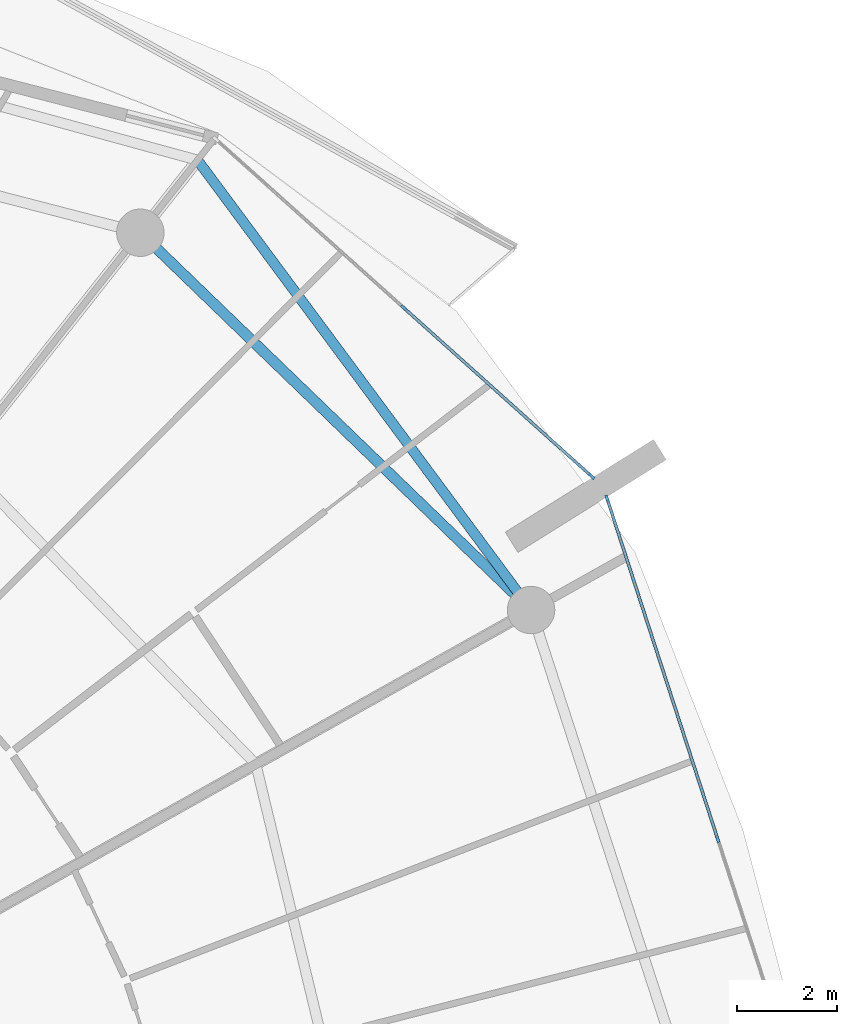
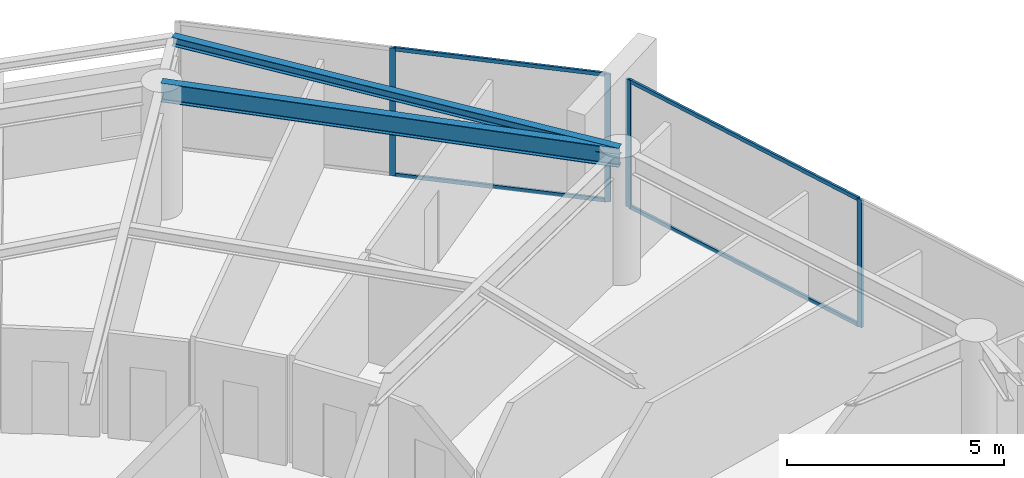
# One storey, part 15 of 30: 8 members, 2 beams, 2 elements without a shape of their own.
"""IFC4 building model written with IfcOpenShell, lengths in metres."""

from ifc_helpers import new_model, si_unit, direction, frame, origin, origin_2d, place, context, subcontext, project, spatial, rectangle, i_section, extrude, material, layer, layer_set, material_profile, profile_set, type_object, element, aggregate, save


model = new_model("IFC4")

# Units and contexts
model_context = context("Model", 3, precision=1e-05, world=origin(), true_north=direction((0.0, 1.0)))
body_context = subcontext(model_context, "Body", "Model", "MODEL_VIEW")
ifc_project = project(units=[si_unit("LENGTHUNIT", "METRE"), si_unit("AREAUNIT", "SQUARE_METRE"), si_unit("VOLUMEUNIT", "CUBIC_METRE"), si_unit("PLANEANGLEUNIT", "RADIAN"), si_unit("MASSUNIT", "GRAM", prefix="KILO")], contexts=[model_context])

# Site, building, storey
site_placement = place(None, origin())
site = spatial("IfcSite", under=ifc_project, at=site_placement, CompositionType="ELEMENT")
building_placement = place(site_placement, origin())
building = spatial("IfcBuilding", under=site, at=building_placement, Name="Kazma Halo Residences", CompositionType="ELEMENT")
storey_placement = place(building_placement, frame((0.0, 0.0, 244.39990234375)))
storey = spatial("IfcBuildingStorey", under=building, at=storey_placement, Name="L61", CompositionType="ELEMENT", Elevation=244.39990234375)

# Beams
ifc_material_1 = material(Name="Steel S355", Category="steel")
ifc_material_profile_1 = material_profile(ifc_material_1, i_section(OverallWidth=0.201904296875, OverallDepth=0.2470703125, WebThickness=0.00732421875, FlangeThickness=0.010986328125, FilletRadius=0.011962890625, at=origin_2d()), Name="W250x49.1")
ifc_profile_set_1 = profile_set([ifc_material_profile_1], Name="Steel S355")
beam_type_1 = type_object("IfcBeamType", Name="BM-BAL-CANT", PredefinedType="BEAM", material=ifc_profile_set_1)
beam_1_placement = place(storey_placement, frame((72.67041015625, 55.81591796875, 3.466552734375), z_axis=(-0.595556062515, 0.803313747176, 0.0), x_axis=(-0.803313747176, -0.595556062515, 0.0)))
element("IfcBeam", 1, at=beam_1_placement, inside=storey, type_object=beam_type_1, Name="L61 wave-balcony lead tie beam 01", PredefinedType="BEAM", context=body_context, shape_type="SweptSolid", body=[
    extrude(i_section(OverallWidth=0.201904296875, OverallDepth=0.2470703125, WebThickness=0.00732421875, FlangeThickness=0.010986328125, FilletRadius=0.011962890625, at=origin_2d()), origin(), (0.0, 0.0, 1.0), 11.213134765625),
])
ifc_material_profile_2 = material_profile(ifc_material_1, i_section(OverallWidth=0.208984375, OverallDepth=0.532958984375, WebThickness=0.01025390625, FlangeThickness=0.015625, FilletRadius=0.01611328125, at=origin_2d()), Name="W530x92")
ifc_profile_set_2 = profile_set([ifc_material_profile_2], Name="Steel S355")
beam_type_2 = type_object("IfcBeamType", Name="BM-SPN-W530", PredefinedType="BEAM", material=ifc_profile_set_2)
beam_2_placement = place(storey_placement, frame((72.67041015625, 55.81591796875, 3.323486328125), z_axis=(-0.719345757929, 0.694652201141, 0.0), x_axis=(-0.694652201141, -0.719345757929, 0.0)))
element("IfcBeam", 2, at=beam_2_placement, inside=storey, type_object=beam_type_2, Name="L61 perimeter ring beam 01", PredefinedType="BEAM", context=body_context, shape_type="SweptSolid", body=[
    extrude(i_section(OverallWidth=0.208984375, OverallDepth=0.532958984375, WebThickness=0.01025390625, FlangeThickness=0.015625, FilletRadius=0.01611328125, at=origin_2d()), origin(), (0.0, 0.0, 1.0), 10.87548828125),
])

# Curtain wall, members
ifc_material_2 = material(Name="Aluminium AW-6063 T6 and Triple-Silver Low-E Glass", Category="aluminium")
ifc_layer = layer(ifc_material_2, 0.139892578125)
ifc_layer_set = layer_set([ifc_layer], Name="Aluminium AW-6063 T6 and Triple-Silver Low-E Glass")
curtain_wall_type = type_object("IfcCurtainWallType", Name="CW-SYS-5", PredefinedType="NOTDEFINED", material=ifc_layer_set)
curtain_wall_1_placement = place(storey_placement, origin())
curtain_wall_1 = element("IfcCurtainWall", 3, at=curtain_wall_1_placement, inside=storey, type_object=curtain_wall_type, Name="L61 unitised curtain wall B01", PredefinedType="NOTDEFINED")
ifc_material_3 = material(Name="Aluminium AW-6063 T6", Category="aluminium")
ifc_material_profile_3 = material_profile(ifc_material_3, rectangle(XDim=0.06005859375, YDim=0.139892578125, at=origin_2d()), Name="CWM-60x140")
ifc_profile_set_3 = profile_set([ifc_material_profile_3], Name="Aluminium AW-6063 T6")
member_type_1 = type_object("IfcMemberType", Name="CW-SYS-5-MUL", PredefinedType="MULLION", material=ifc_profile_set_3)
member_1_placement = place(storey_placement, frame((73.88330078125, 58.491943359375, 0.0), z_axis=(0.0, 0.0, 1.0), x_axis=(-0.667804826958, -0.744336424671, 0.0)))
member_1 = element("IfcMember", 4, at=member_1_placement, type_object=member_type_1, Name="CWS-5 mullion 1", PredefinedType="MULLION", context=body_context, shape_type="SweptSolid", body=[
    extrude(rectangle(XDim=0.06005859375, YDim=0.139892578125, at=origin_2d()), origin(), (0.0, 0.0, 1.0), 3.590087890625),
])
member_2_placement = place(storey_placement, frame((70.121826171875, 61.86669921875, 0.0), z_axis=(0.0, 0.0, 1.0), x_axis=(-0.667804826958, -0.744336424671, 0.0)))
member_2 = element("IfcMember", 5, at=member_2_placement, type_object=member_type_1, Name="CWS-5 mullion 2", PredefinedType="MULLION", context=body_context, shape_type="SweptSolid", body=[
    extrude(rectangle(XDim=0.06005859375, YDim=0.139892578125, at=origin_2d()), origin(), (0.0, 0.0, 1.0), 3.590087890625),
])

curtain_wall_2_placement = place(storey_placement, origin())
curtain_wall_2 = element("IfcCurtainWall", 6, at=curtain_wall_2_placement, inside=storey, type_object=curtain_wall_type, Name="L61 unitised curtain wall B16", PredefinedType="NOTDEFINED")
member_3_placement = place(storey_placement, frame((76.40771484375, 51.230224609375, 0.0), z_axis=(0.0, 0.0, 1.0), x_axis=(-0.951058464359, -0.309010998786, 0.0)))
member_3 = element("IfcMember", 7, at=member_3_placement, type_object=member_type_1, Name="CWS-5 mullion 2", PredefinedType="MULLION", context=body_context, shape_type="SweptSolid", body=[
    extrude(rectangle(XDim=0.06005859375, YDim=0.139892578125, at=origin_2d()), origin(), (0.0, 0.0, 1.0), 3.590087890625),
])
member_4_placement = place(storey_placement, frame((74.1923828125, 58.0478515625, 0.0), z_axis=(0.0, 0.0, 1.0), x_axis=(-0.951058464359, -0.309010998786, 0.0)))
member_4 = element("IfcMember", 8, at=member_4_placement, type_object=member_type_1, Name="CWS-5 mullion 3", PredefinedType="MULLION", context=body_context, shape_type="SweptSolid", body=[
    extrude(rectangle(XDim=0.06005859375, YDim=0.139892578125, at=origin_2d()), origin(), (0.0, 0.0, 1.0), 3.590087890625),
])

# Member
ifc_material_profile_4 = material_profile(ifc_material_3, rectangle(XDim=0.06005859375, YDim=0.10498046875, at=origin_2d()), Name="CWT-60x105")
ifc_profile_set_4 = profile_set([ifc_material_profile_4], Name="Aluminium AW-6063 T6")
member_type_2 = type_object("IfcMemberType", Name="CW-SYS-5-TRN", PredefinedType="USERDEFINED", material=ifc_profile_set_4)
member_5_placement = place(storey_placement, frame((73.861083984375, 58.511962890625, 0.030029296875), z_axis=(-0.744328897483, 0.667813216679, 0.0), x_axis=(-0.667813216679, -0.744328897483, 0.0)))
member_5 = element("IfcMember", 9, at=member_5_placement, type_object=member_type_2, Name="CWS-5 transom 1.1", ObjectType="TRANSOM", PredefinedType="USERDEFINED", context=body_context, shape_type="SweptSolid", body=[
    extrude(rectangle(XDim=0.06005859375, YDim=0.10498046875, at=origin_2d()), origin(), (0.0, 0.0, 1.0), 4.993408203125),
])

member_6_placement = place(storey_placement, frame((73.861083984375, 58.511962890625, 3.56005859375), z_axis=(-0.744328897483, 0.667813216679, 0.0), x_axis=(-0.667813216679, -0.744328897483, 0.0)))
member_6 = element("IfcMember", 10, at=member_6_placement, type_object=member_type_2, Name="CWS-5 transom 1.2", ObjectType="TRANSOM", PredefinedType="USERDEFINED", context=body_context, shape_type="SweptSolid", body=[
    extrude(rectangle(XDim=0.06005859375, YDim=0.10498046875, at=origin_2d()), origin(), (0.0, 0.0, 1.0), 4.993408203125),
])

aggregate(curtain_wall_1, [member_1, member_2, member_5, member_6])

member_7_placement = place(storey_placement, frame((76.3984375, 51.2587890625, 0.030029296875), z_axis=(-0.309027052142, 0.95105324827, 0.0), x_axis=(-0.95105324827, -0.309027052142, 0.0)))
member_7 = element("IfcMember", 11, at=member_7_placement, type_object=member_type_2, Name="CWS-5 transom 2.1", ObjectType="TRANSOM", PredefinedType="USERDEFINED", context=body_context, shape_type="SweptSolid", body=[
    extrude(rectangle(XDim=0.06005859375, YDim=0.10498046875, at=origin_2d()), origin(), (0.0, 0.0, 1.0), 7.108642578125),
])

member_8_placement = place(storey_placement, frame((76.3984375, 51.2587890625, 3.56005859375), z_axis=(-0.309027052142, 0.95105324827, 0.0), x_axis=(-0.95105324827, -0.309027052142, 0.0)))
member_8 = element("IfcMember", 12, at=member_8_placement, type_object=member_type_2, Name="CWS-5 transom 2.2", ObjectType="TRANSOM", PredefinedType="USERDEFINED", context=body_context, shape_type="SweptSolid", body=[
    extrude(rectangle(XDim=0.06005859375, YDim=0.10498046875, at=origin_2d()), origin(), (0.0, 0.0, 1.0), 7.108642578125),
])

aggregate(curtain_wall_2, [member_3, member_4, member_7, member_8])

save(model, "model.ifc")
